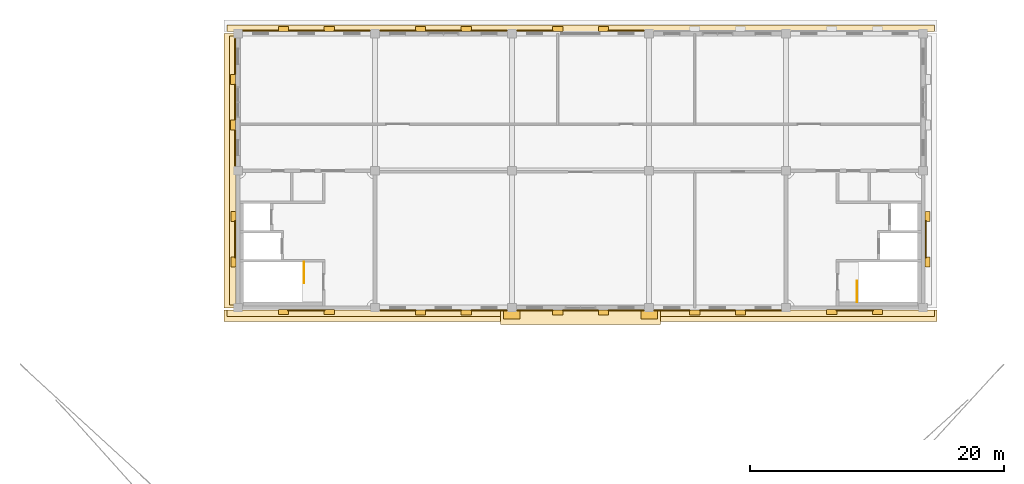
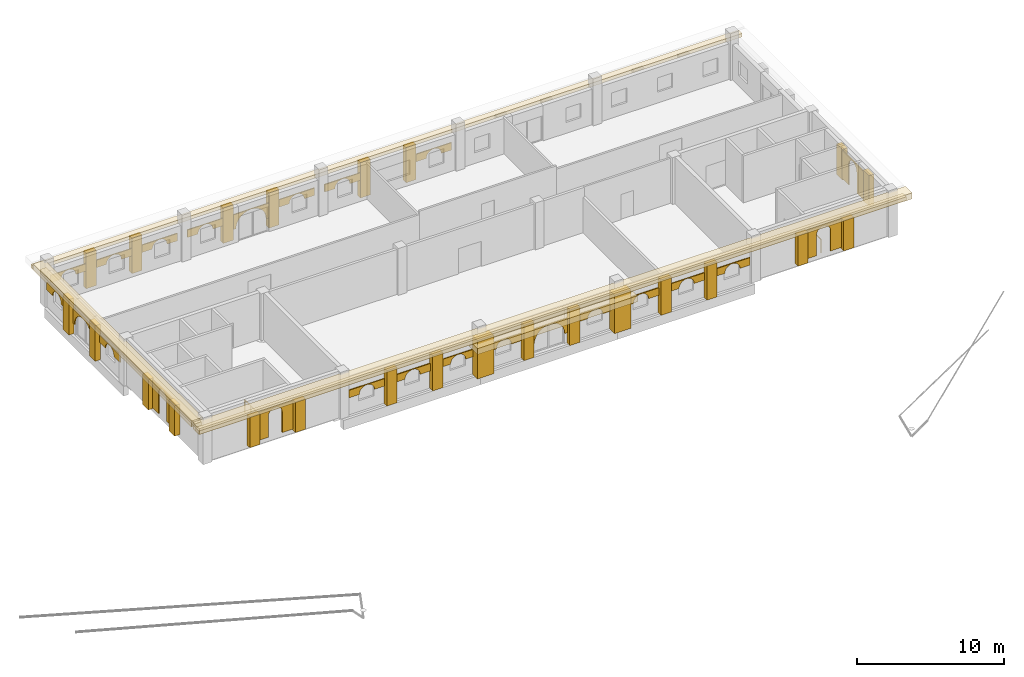
# One storey, part 9 of 10: 54 coverings, 2 railings.
"""IFC4 building model written with IfcOpenShell, lengths in metres."""

from ifc_helpers import new_model, si_unit, direction, frame, origin, origin_2d, place, context, subcontext, project, spatial, polyline, rectangle, circle, outline, extrude, material, layer, layer_set, type_object, element, save


model = new_model("IFC4")

# Units and contexts
model_context = context("Model", 3, precision=1e-05, world=origin(), true_north=direction((0.0, 1.0)))
body_context = subcontext(model_context, "Body", "Model", "MODEL_VIEW")
ifc_project = project(units=[si_unit("LENGTHUNIT", "METRE"), si_unit("AREAUNIT", "SQUARE_METRE"), si_unit("VOLUMEUNIT", "CUBIC_METRE"), si_unit("PLANEANGLEUNIT", "RADIAN"), si_unit("MASSUNIT", "GRAM", prefix="KILO")], contexts=[model_context])

# Site, building, storey
site_placement = place(None, origin())
site = spatial("IfcSite", under=ifc_project, at=site_placement, CompositionType="ELEMENT")
building_placement = place(site_placement, origin())
building = spatial("IfcBuilding", under=site, at=building_placement, Name="Magnolia Steps Interchange", CompositionType="ELEMENT")
storey_placement = place(building_placement, frame((0.0, 0.0, 24.300048828125)))
storey = spatial("IfcBuildingStorey", under=building, at=storey_placement, Name="L06", CompositionType="ELEMENT", Elevation=24.300048828125)

# Coverings
ifc_material_1 = material(Name="Lime render")
ifc_layer_1 = layer(ifc_material_1, 0.080078125)
ifc_layer_set_1 = layer_set([ifc_layer_1], Name="Lime render arch infill")
covering_type_1 = type_object("IfcCoveringType", Name="Lime render arch infill", PredefinedType="CLADDING", material=ifc_layer_set_1)
covering_1_placement = place(storey_placement, frame((79.0, 118.175048828125, 0.8798828125), z_axis=(0.0, -1.0, 0.0), x_axis=(0.111727497739, 0.0, 0.993738882327)))
element("IfcCovering", 1, at=covering_1_placement, inside=storey, type_object=covering_type_1, Name="Arched head over opening g2", PredefinedType="CLADDING", context=body_context, shape_type="SweptSolid", body=[
    extrude(outline(polyline([(0.0, 0.0), (0.268772661, 0.0), (0.530775471, -0.059969747), (0.772847059, -0.176475415), (0.982848175, -0.34424851), (1.150413918, -0.55413586), (1.266850396, -0.796550742), (1.326505678, -1.058370595), (1.326505678, -1.327143256), (1.266778543, -1.589118788), (1.150030263, -1.831217653), (0.98249978, -2.041191492), (0.772369818, -2.208784513), (0.530197548, -2.325193713), (0.268135084, -2.384876273), (0.290502405, -2.583818139), (1.502834728, -2.447513865), (1.189992279, 0.335003528), (-0.022340044, 0.198699254), (0.0, 0.0)])), origin(), (0.0, 0.0, -1.0), 0.080078125),
])
covering_2_placement = place(storey_placement, frame((65.199951171875, 118.175048828125, 1.47998046875), z_axis=(0.0, -1.0, 0.0), x_axis=(0.112624375469, 0.0, 0.993637635182)))
element("IfcCovering", 2, at=covering_2_placement, inside=storey, type_object=covering_type_1, Name="Arched head over opening W00180", PredefinedType="CLADDING", context=body_context, shape_type="SweptSolid", body=[
    extrude(outline(polyline([(0.0, 0.0), (0.134400024, 0.0), (0.265307145, -0.029880371), (0.386381719, -0.087902644), (0.4914442, -0.171573093), (0.575363002, -0.276804986), (0.633784413, -0.397703495), (0.663622652, -0.528721488), (0.66386524, -0.663094016), (0.633984869, -0.794001137), (0.575720009, -0.915103208), (0.49204956, -1.020165689), (0.387060254, -1.104056994), (0.266161744, -1.162478405), (0.135143751, -1.192316645), (0.225248751, -1.98727527), (0.841177939, -1.917462456), (0.525824189, 0.86477144), (-0.090105, 0.794958626), (0.0, 0.0)])), origin(), (0.0, 0.0, -1.0), 0.080078125),
])
covering_3_placement = place(storey_placement, frame((68.800048828125, 118.175048828125, 1.47998046875), z_axis=(0.0, -1.0, 0.0), x_axis=(0.1108303469, 0.0, 0.993839340239)))
element("IfcCovering", 3, at=covering_3_placement, inside=storey, type_object=covering_type_1, Name="Arched head over opening W00540", PredefinedType="CLADDING", context=body_context, shape_type="SweptSolid", body=[
    extrude(outline(polyline([(0.0, 0.0), (0.134372747, 0.0), (0.265225711, -0.030116653), (0.386222396, -0.088600048), (0.491133653, -0.172460033), (0.574835281, -0.277600619), (0.633065394, -0.398847038), (0.662639995, -0.529676049), (0.662639995, -0.664048796), (0.632550401, -0.795144396), (0.574067006, -0.916141082), (0.490207021, -1.021052339), (0.385066435, -1.104753967), (0.264062652, -1.162957021), (0.132991005, -1.192558681), (0.221660694, -1.98767868), (0.837714914, -1.918977936), (0.527384531, 0.863820744), (-0.088669689, 0.79512), (0.0, 0.0)])), origin(), (0.0, 0.0, -1.0), 0.080078125),
])
covering_4_placement = place(storey_placement, frame((72.39990234375, 118.175048828125, 1.47998046875), z_axis=(0.0, -1.0, 0.0), x_axis=(0.112624375469, 0.0, 0.993637635182)))
element("IfcCovering", 4, at=covering_4_placement, inside=storey, type_object=covering_type_1, Name="Arched head over opening W00900", PredefinedType="CLADDING", context=body_context, shape_type="SweptSolid", body=[
    extrude(outline(polyline([(0.0, 0.0), (0.134400024, 0.0), (0.265307145, -0.029880371), (0.386409216, -0.088145231), (0.491471697, -0.17181568), (0.575363002, -0.276804986), (0.633784413, -0.397703495), (0.663622652, -0.528721488), (0.66386524, -0.663094016), (0.633984869, -0.794001137), (0.575720009, -0.915103208), (0.49204956, -1.020165689), (0.387060254, -1.104056994), (0.266161744, -1.162478405), (0.135171248, -1.192559232), (0.225248751, -1.98727527), (0.841177939, -1.917462456), (0.525851685, 0.864528853), (-0.090077503, 0.794716038), (0.0, 0.0)])), origin(), (0.0, 0.0, -1.0), 0.080078125),
])
covering_5_placement = place(storey_placement, frame((76.0, 118.175048828125, 1.47998046875), z_axis=(0.0, -1.0, 0.0), x_axis=(0.1108303469, 0.0, 0.993839340239)))
element("IfcCovering", 5, at=covering_5_placement, inside=storey, type_object=covering_type_1, Name="Arched head over opening W01260", PredefinedType="CLADDING", context=body_context, shape_type="SweptSolid", body=[
    extrude(outline(polyline([(0.0, 0.0), (0.134372747, 0.0), (0.265225711, -0.030116653), (0.386222396, -0.088600048), (0.491133653, -0.172460033), (0.574835281, -0.277600619), (0.633065394, -0.398847038), (0.662667054, -0.529918686), (0.662639995, -0.664048796), (0.632550401, -0.795144396), (0.574067006, -0.916141082), (0.490207021, -1.021052339), (0.385066435, -1.104753967), (0.264062652, -1.162957021), (0.132991005, -1.192558681), (0.221660694, -1.98767868), (0.837714914, -1.918977936), (0.527384531, 0.863820744), (-0.088669689, 0.79512), (0.0, 0.0)])), origin(), (0.0, 0.0, -1.0), 0.080078125),
])
covering_6_placement = place(storey_placement, frame((83.199951171875, 118.175048828125, 1.47998046875), z_axis=(0.0, -1.0, 0.0), x_axis=(0.112624375469, 0.0, 0.993637635182)))
element("IfcCovering", 6, at=covering_6_placement, inside=storey, type_object=covering_type_1, Name="Arched head over opening W00240", PredefinedType="CLADDING", context=body_context, shape_type="SweptSolid", body=[
    extrude(outline(polyline([(0.0, 0.0), (0.134400024, 0.0), (0.265307145, -0.029880371), (0.386381719, -0.087902644), (0.4914442, -0.171573093), (0.575363002, -0.276804986), (0.633784413, -0.397703495), (0.663622652, -0.528721488), (0.66386524, -0.663094016), (0.633984869, -0.794001137), (0.575720009, -0.915103208), (0.49204956, -1.020165689), (0.387060254, -1.104056994), (0.266161744, -1.162478405), (0.135143751, -1.192316645), (0.225248751, -1.98727527), (0.841177939, -1.917462456), (0.525824189, 0.86477144), (-0.090105, 0.794958626), (0.0, 0.0)])), origin(), (0.0, 0.0, -1.0), 0.080078125),
])
covering_7_placement = place(storey_placement, frame((86.800048828125, 118.175048828125, 1.47998046875), z_axis=(0.0, -1.0, 0.0), x_axis=(0.1108303469, 0.0, 0.993839340239)))
element("IfcCovering", 7, at=covering_7_placement, inside=storey, type_object=covering_type_1, Name="Arched head over opening W00600", PredefinedType="CLADDING", context=body_context, shape_type="SweptSolid", body=[
    extrude(outline(polyline([(0.0, 0.0), (0.134372747, 0.0), (0.265225711, -0.030116653), (0.386222396, -0.088600048), (0.491133653, -0.172460033), (0.574835281, -0.277600619), (0.633065394, -0.398847038), (0.662639995, -0.529676049), (0.662639995, -0.664048796), (0.632550401, -0.795144396), (0.574067006, -0.916141082), (0.490207021, -1.021052339), (0.385066435, -1.104753967), (0.264062652, -1.162957021), (0.132991005, -1.192558681), (0.221660694, -1.98767868), (0.837714914, -1.918977936), (0.527384531, 0.863820744), (-0.088669689, 0.79512), (0.0, 0.0)])), origin(), (0.0, 0.0, -1.0), 0.080078125),
])
covering_8_placement = place(storey_placement, frame((94.0, 118.175048828125, 1.47998046875), z_axis=(0.0, -1.0, 0.0), x_axis=(0.1108303469, 0.0, 0.993839340239)))
element("IfcCovering", 8, at=covering_8_placement, inside=storey, type_object=covering_type_1, Name="Arched head over opening W01320", PredefinedType="CLADDING", context=body_context, shape_type="SweptSolid", body=[
    extrude(outline(polyline([(0.0, 0.0), (0.134372747, 0.0), (0.265225711, -0.030116653), (0.386222396, -0.088600048), (0.491133653, -0.172460033), (0.574835281, -0.277600619), (0.633065394, -0.398847038), (0.662667054, -0.529918686), (0.662639995, -0.664048796), (0.632550401, -0.795144396), (0.574067006, -0.916141082), (0.490207021, -1.021052339), (0.385066435, -1.104753967), (0.264062652, -1.162957021), (0.132991005, -1.192558681), (0.221660694, -1.98767868), (0.837714914, -1.918977936), (0.527384531, 0.863820744), (-0.088669689, 0.79512), (0.0, 0.0)])), origin(), (0.0, 0.0, -1.0), 0.080078125),
])
covering_9_placement = place(storey_placement, frame((89.60009765625, 96.22509765625, 0.8798828125), z_axis=(0.0, 1.0, 0.0), x_axis=(0.0, 0.0, 1.0)))
element("IfcCovering", 9, at=covering_9_placement, inside=storey, type_object=covering_type_1, Name="Arched head over opening g2", PredefinedType="CLADDING", context=body_context, shape_type="SweptSolid", body=[
    extrude(outline(polyline([(0.0, 0.0), (1.219970703, 0.0), (1.219970703, 2.799804688), (0.0, 2.799804688), (0.0, 2.599853516), (0.267089844, 2.569824219), (0.520751953, 2.481201172), (0.748291016, 2.338134766), (0.938232422, 2.148193359), (1.081298828, 1.920654297), (1.169921875, 1.666992188), (1.199951172, 1.399902344), (1.169921875, 1.1328125), (1.081298828, 0.879150391), (0.938232422, 0.651611328), (0.748291016, 0.461669922), (0.520751953, 0.318603516), (0.267089844, 0.229980469), (0.0, 0.199951172), (0.0, 0.0)])), origin(), (0.0, 0.0, -1.0), 0.080078125),
])
covering_10_placement = place(storey_placement, frame((75.199951171875, 96.22509765625, 1.47998046875), z_axis=(0.0, 1.0, 0.0), x_axis=(0.0, 0.0, 1.0)))
element("IfcCovering", 10, at=covering_10_placement, inside=storey, type_object=covering_type_1, Name="Arched head over opening W00180", PredefinedType="CLADDING", context=body_context, shape_type="SweptSolid", body=[
    extrude(outline(polyline([(0.0, 0.0), (0.619873047, 0.0), (0.619873047, 2.800048828), (0.0, 2.800048828), (0.0, 2.0), (0.133544922, 1.985107422), (0.260253906, 1.940673828), (0.374023438, 1.869140625), (0.468994141, 1.774169922), (0.540527344, 1.660400391), (0.584960938, 1.533447266), (0.599853516, 1.400146484), (0.584960938, 1.266601562), (0.540527344, 1.139648438), (0.468994141, 1.025878906), (0.374023438, 0.930908203), (0.260253906, 0.859375), (0.133544922, 0.814941406), (0.0, 0.800048828), (0.0, 0.0)])), origin(), (0.0, 0.0, -1.0), 0.080078125),
])
covering_11_placement = place(storey_placement, frame((78.800048828125, 96.22509765625, 1.47998046875), z_axis=(0.0, 1.0, 0.0), x_axis=(0.0, 0.0, 1.0)))
element("IfcCovering", 11, at=covering_11_placement, inside=storey, type_object=covering_type_1, Name="Arched head over opening W00540", PredefinedType="CLADDING", context=body_context, shape_type="SweptSolid", body=[
    extrude(outline(polyline([(0.0, 0.0), (0.619873047, 0.0), (0.619873047, 2.800048828), (0.0, 2.800048828), (0.0, 2.0), (0.133544922, 1.984863281), (0.260253906, 1.940429688), (0.374023438, 1.869140625), (0.468994141, 1.774169922), (0.540527344, 1.66015625), (0.584960938, 1.533447266), (0.599853516, 1.399902344), (0.584960938, 1.266357422), (0.540527344, 1.139648438), (0.468994141, 1.025878906), (0.374023438, 0.930908203), (0.260253906, 0.859375), (0.133544922, 0.814941406), (0.0, 0.800048828), (0.0, 0.0)])), origin(), (0.0, 0.0, -1.0), 0.080078125),
])
covering_12_placement = place(storey_placement, frame((82.39990234375, 96.22509765625, 1.47998046875), z_axis=(0.0, 1.0, 0.0), x_axis=(0.0, 0.0, 1.0)))
element("IfcCovering", 12, at=covering_12_placement, inside=storey, type_object=covering_type_1, Name="Arched head over opening W00900", PredefinedType="CLADDING", context=body_context, shape_type="SweptSolid", body=[
    extrude(outline(polyline([(0.0, 0.0), (0.619873047, 0.0), (0.619873047, 2.800048828), (0.0, 2.800048828), (0.0, 2.0), (0.133544922, 1.985107422), (0.260253906, 1.940673828), (0.374023438, 1.869140625), (0.468994141, 1.774169922), (0.540527344, 1.660400391), (0.584960938, 1.533691406), (0.599853516, 1.400146484), (0.584960938, 1.266601562), (0.540527344, 1.139892578), (0.468994141, 1.025878906), (0.374023438, 0.930908203), (0.260253906, 0.859619141), (0.133544922, 0.815185547), (0.0, 0.800048828), (0.0, 0.0)])), origin(), (0.0, 0.0, -1.0), 0.080078125),
])
covering_13_placement = place(storey_placement, frame((86.0, 96.22509765625, 1.47998046875), z_axis=(0.0, 1.0, 0.0), x_axis=(0.0, 0.0, 1.0)))
element("IfcCovering", 13, at=covering_13_placement, inside=storey, type_object=covering_type_1, Name="Arched head over opening W01260", PredefinedType="CLADDING", context=body_context, shape_type="SweptSolid", body=[
    extrude(outline(polyline([(0.0, 0.0), (0.619873047, 0.0), (0.619873047, 2.800048828), (0.0, 2.800048828), (0.0, 2.0), (0.133544922, 1.985107422), (0.260253906, 1.940673828), (0.374023438, 1.869140625), (0.468994141, 1.774169922), (0.540527344, 1.660400391), (0.584960938, 1.533447266), (0.599853516, 1.399902344), (0.584960938, 1.266601562), (0.540527344, 1.139648438), (0.468994141, 1.025878906), (0.374023438, 0.930908203), (0.260253906, 0.859375), (0.133544922, 0.814941406), (0.0, 0.800048828), (0.0, 0.0)])), origin(), (0.0, 0.0, -1.0), 0.080078125),
])
covering_14_placement = place(storey_placement, frame((93.199951171875, 96.22509765625, 1.47998046875), z_axis=(0.0, 1.0, 0.0), x_axis=(0.0, 0.0, 1.0)))
element("IfcCovering", 14, at=covering_14_placement, inside=storey, type_object=covering_type_1, Name="Arched head over opening W00240", PredefinedType="CLADDING", context=body_context, shape_type="SweptSolid", body=[
    extrude(outline(polyline([(0.0, 0.0), (0.619873047, 0.0), (0.619873047, 2.800048828), (0.0, 2.800048828), (0.0, 2.0), (0.133544922, 1.985107422), (0.260253906, 1.940673828), (0.374023438, 1.869140625), (0.468994141, 1.774169922), (0.540527344, 1.660400391), (0.584960938, 1.533447266), (0.599853516, 1.400146484), (0.584960938, 1.266601562), (0.540527344, 1.139648438), (0.468994141, 1.025878906), (0.374023438, 0.930908203), (0.260253906, 0.859375), (0.133544922, 0.814941406), (0.0, 0.800048828), (0.0, 0.0)])), origin(), (0.0, 0.0, -1.0), 0.080078125),
])
covering_15_placement = place(storey_placement, frame((96.800048828125, 96.22509765625, 1.47998046875), z_axis=(0.0, 1.0, 0.0), x_axis=(0.0, 0.0, 1.0)))
element("IfcCovering", 15, at=covering_15_placement, inside=storey, type_object=covering_type_1, Name="Arched head over opening W00600", PredefinedType="CLADDING", context=body_context, shape_type="SweptSolid", body=[
    extrude(outline(polyline([(0.0, 0.0), (0.619873047, 0.0), (0.619873047, 2.800048828), (0.0, 2.800048828), (0.0, 2.0), (0.133544922, 1.984863281), (0.260253906, 1.940429688), (0.374023438, 1.869140625), (0.468994141, 1.774169922), (0.540527344, 1.66015625), (0.584960938, 1.533447266), (0.599853516, 1.399902344), (0.584960938, 1.266357422), (0.540527344, 1.139648438), (0.468994141, 1.025878906), (0.374023438, 0.930908203), (0.260253906, 0.859375), (0.133544922, 0.814941406), (0.0, 0.800048828), (0.0, 0.0)])), origin(), (0.0, 0.0, -1.0), 0.080078125),
])
covering_16_placement = place(storey_placement, frame((100.39990234375, 96.22509765625, 1.47998046875), z_axis=(0.0, 1.0, 0.0), x_axis=(0.0, 0.0, 1.0)))
element("IfcCovering", 16, at=covering_16_placement, inside=storey, type_object=covering_type_1, Name="Arched head over opening W00960", PredefinedType="CLADDING", context=body_context, shape_type="SweptSolid", body=[
    extrude(outline(polyline([(0.0, 0.0), (0.619873047, 0.0), (0.619873047, 2.800048828), (0.0, 2.800048828), (0.0, 2.0), (0.133544922, 1.985107422), (0.260253906, 1.940673828), (0.374023438, 1.869140625), (0.468994141, 1.774169922), (0.540527344, 1.660400391), (0.584960938, 1.533691406), (0.599853516, 1.400146484), (0.584960938, 1.266601562), (0.540527344, 1.139892578), (0.468994141, 1.025878906), (0.374023438, 0.930908203), (0.260253906, 0.859619141), (0.133544922, 0.815185547), (0.0, 0.800048828), (0.0, 0.0)])), origin(), (0.0, 0.0, -1.0), 0.080078125),
])
covering_17_placement = place(storey_placement, frame((104.0, 96.22509765625, 1.47998046875), z_axis=(0.0, 1.0, 0.0), x_axis=(0.0, 0.0, 1.0)))
element("IfcCovering", 17, at=covering_17_placement, inside=storey, type_object=covering_type_1, Name="Arched head over opening W01320", PredefinedType="CLADDING", context=body_context, shape_type="SweptSolid", body=[
    extrude(outline(polyline([(0.0, 0.0), (0.619873047, 0.0), (0.619873047, 2.800048828), (0.0, 2.800048828), (0.0, 2.0), (0.133544922, 1.985107422), (0.260253906, 1.940673828), (0.374023438, 1.869140625), (0.468994141, 1.774169922), (0.540527344, 1.660400391), (0.584960938, 1.533447266), (0.599853516, 1.399902344), (0.584960938, 1.266601562), (0.540527344, 1.139648438), (0.468994141, 1.025878906), (0.374023438, 0.930908203), (0.260253906, 0.859375), (0.133544922, 0.814941406), (0.0, 0.800048828), (0.0, 0.0)])), origin(), (0.0, 0.0, -1.0), 0.080078125),
])
covering_18_placement = place(storey_placement, frame((63.824951171875, 111.39990234375, 0.8798828125), z_axis=(1.0, 0.0, 0.0), x_axis=(0.0, 0.112624375469, 0.993637635182)))
element("IfcCovering", 18, at=covering_18_placement, inside=storey, type_object=covering_type_1, Name="Arched head over opening g2", PredefinedType="CLADDING", context=body_context, shape_type="SweptSolid", body=[
    extrude(outline(polyline([(0.0, 0.0), (0.268800048, 0.0), (0.530829382, -0.059490658), (0.773033522, -0.176020379), (0.983158484, -0.343361276), (1.150941095, -0.553339888), (1.267568826, -0.795406991), (1.327487892, -1.057415481), (1.327702983, -1.325945445), (1.268212325, -1.587974779), (1.151682605, -1.830178919), (0.984341707, -2.040303881), (0.774363096, -2.208086492), (0.532323489, -2.32495681), (0.270314999, -2.384875877), (0.292834375, -2.583554886), (1.505043179, -2.446156448), (1.189689429, 0.336077448), (-0.022519376, 0.19867901), (0.0, 0.0)])), origin(), (0.0, 0.0, -1.0), 0.080078125),
])
covering_19_placement = place(storey_placement, frame((63.824951171875, 108.39990234375, 1.47998046875), z_axis=(1.0, 0.0, 0.0), x_axis=(0.0, 0.112624375469, 0.993637635182)))
element("IfcCovering", 19, at=covering_19_placement, inside=storey, type_object=covering_type_1, Name="Arched head over opening W00180", PredefinedType="CLADDING", context=body_context, shape_type="SweptSolid", body=[
    extrude(outline(polyline([(0.0, 0.0), (0.134400024, 0.0), (0.265307145, -0.029880371), (0.386409216, -0.088145231), (0.491471697, -0.17181568), (0.575363002, -0.276804986), (0.633784413, -0.397703495), (0.663622652, -0.528721488), (0.66386524, -0.663094016), (0.633984869, -0.794001137), (0.575720009, -0.915103208), (0.49204956, -1.020165689), (0.387060254, -1.104056994), (0.266161744, -1.162478405), (0.135171248, -1.192559232), (0.225248751, -1.98727527), (0.841177939, -1.917462456), (0.525851685, 0.864528853), (-0.090077503, 0.794716038), (0.0, 0.0)])), origin(), (0.0, 0.0, -1.0), 0.080078125),
])
covering_20_placement = place(storey_placement, frame((63.824951171875, 115.60009765625, 1.47998046875), z_axis=(1.0, 0.0, 0.0), x_axis=(0.0, 0.1108303469, 0.993839340239)))
element("IfcCovering", 20, at=covering_20_placement, inside=storey, type_object=covering_type_1, Name="Arched head over opening W00240", PredefinedType="CLADDING", context=body_context, shape_type="SweptSolid", body=[
    extrude(outline(polyline([(0.0, 0.0), (0.134372747, 0.0), (0.265225711, -0.030116653), (0.386222396, -0.088600048), (0.491133653, -0.172460033), (0.574835281, -0.277600619), (0.633038335, -0.398604402), (0.662639995, -0.529676049), (0.662639995, -0.664048796), (0.632523343, -0.79490176), (0.574067006, -0.916141082), (0.490207021, -1.021052339), (0.385039377, -1.10451133), (0.264035594, -1.162714384), (0.132991005, -1.192558681), (0.221660694, -1.98767868), (0.837714914, -1.918977936), (0.527384531, 0.863820744), (-0.088669689, 0.79512), (0.0, 0.0)])), origin(), (0.0, 0.0, -1.0), 0.080078125),
])
covering_21_placement = place(storey_placement, frame((67.949951171875, 96.25, 0.39990234375), z_axis=(0.0, 1.0, 0.0), x_axis=(0.0, 0.0, 1.0)))
element("IfcCovering", 21, at=covering_21_placement, inside=storey, type_object=covering_type_1, Name="Arched niche OC-W L06 S", PredefinedType="CLADDING", context=body_context, shape_type="SweptSolid", body=[
    extrude(outline(polyline([(0.0, 0.0), (2.350097656, 0.0), (2.350097656, 2.900146484), (0.0, 2.900146484), (0.0, 2.0), (1.75, 2.0), (1.892333984, 1.981445312), (2.025146484, 1.926269531), (2.138916016, 1.838867188), (2.226318359, 1.725097656), (2.28125, 1.592529297), (2.300048828, 1.449951172), (2.28125, 1.307617188), (2.226318359, 1.175048828), (2.138916016, 1.061035156), (2.025146484, 0.973632812), (1.892333984, 0.918701172), (1.75, 0.900146484), (0.0, 0.900146484), (0.0, 0.0)])), origin(), (0.0, 0.0, -1.0), 0.080078125),
])
covering_22_placement = place(storey_placement, frame((63.85009765625, 101.25, 0.39990234375), z_axis=(1.0, 0.0, 0.0), x_axis=(0.0, 0.0, 1.0)))
element("IfcCovering", 22, at=covering_22_placement, inside=storey, type_object=covering_type_1, Name="Arched niche OC-W L06 W", PredefinedType="CLADDING", context=body_context, shape_type="SweptSolid", body=[
    extrude(outline(polyline([(0.0, 0.0), (1.75, 0.0), (1.892333984, -0.018798828), (2.025146484, -0.073730469), (2.138916016, -0.161132812), (2.226318359, -0.274902344), (2.28125, -0.407714844), (2.300048828, -0.550048828), (2.28125, -0.692382812), (2.226318359, -0.824951172), (2.138916016, -0.938964844), (2.025146484, -1.026367188), (1.892333984, -1.081298828), (1.75, -1.100097656), (0.0, -1.100097656), (0.0, -2.0), (2.350097656, -2.0), (2.350097656, 0.899902344), (0.0, 0.899902344), (0.0, 0.0)])), origin(), (0.0, 0.0, -1.0), 0.080078125),
])
covering_23_placement = place(storey_placement, frame((111.14990234375, 96.25, 0.39990234375), z_axis=(0.0, 1.0, 0.0), x_axis=(0.0, 0.0, 1.0)))
element("IfcCovering", 23, at=covering_23_placement, inside=storey, type_object=covering_type_1, Name="Arched niche OC-E L06 S", PredefinedType="CLADDING", context=body_context, shape_type="SweptSolid", body=[
    extrude(outline(polyline([(0.0, 0.0), (2.350097656, 0.0), (2.350097656, 2.900146484), (0.0, 2.900146484), (0.0, 2.0), (1.75, 2.0), (1.892333984, 1.981445312), (2.025146484, 1.926513672), (2.138916016, 1.839111328), (2.226318359, 1.725097656), (2.28125, 1.592529297), (2.300048828, 1.450195312), (2.28125, 1.307617188), (2.226318359, 1.175048828), (2.138916016, 1.061279297), (2.025146484, 0.973876953), (1.892333984, 0.918701172), (1.75, 0.900146484), (0.0, 0.900146484), (0.0, 0.0)])), origin(), (0.0, 0.0, -1.0), 0.080078125),
])
covering_24_placement = place(storey_placement, frame((118.14990234375, 100.35009765625, 0.39990234375), z_axis=(-1.0, 0.0, 0.0), x_axis=(0.0, 0.0, 1.0)))
element("IfcCovering", 24, at=covering_24_placement, inside=storey, type_object=covering_type_1, Name="Arched niche OC-E L06 E", PredefinedType="CLADDING", context=body_context, shape_type="SweptSolid", body=[
    extrude(outline(polyline([(0.0, 0.0), (2.350097656, 0.0), (2.350097656, 2.899902344), (0.0, 2.899902344), (0.0, 2.0), (1.75, 2.0), (1.892333984, 1.981201172), (2.025146484, 1.926269531), (2.138916016, 1.838867188), (2.226318359, 1.724853516), (2.28125, 1.592285156), (2.300048828, 1.449951172), (2.28125, 1.307617188), (2.226318359, 1.174804688), (2.138916016, 1.061035156), (2.025146484, 0.973632812), (1.892333984, 0.918701172), (1.75, 0.899902344), (0.0, 0.899902344), (0.0, 0.0)])), origin(), (0.0, 0.0, -1.0), 0.080078125),
])
ifc_material_2 = material(Name="Lime render")
ifc_layer_2 = layer(ifc_material_2, 0.1201171875)
ifc_layer_set_2 = layer_set([ifc_layer_2], Name="Lime render band")
covering_type_2 = type_object("IfcCoveringType", Name="Lime render band", PredefinedType="CLADDING", material=ifc_layer_set_2)
covering_25_placement = place(storey_placement, frame((91.0, 95.77490234375, 3.18994140625), z_axis=(0.0, 0.0, 1.0), x_axis=(1.0, 0.0, 0.0)))
element("IfcCovering", 25, at=covering_25_placement, inside=storey, type_object=covering_type_2, Name="Cornice L06 S", PredefinedType="CLADDING", context=body_context, shape_type="SweptSolid", body=[
    extrude(rectangle(XDim=56.14990234375, YDim=0.89990234375, at=origin_2d()), origin(), (0.0, 0.0, 1.0), 0.5),
])
for number, where, z_axis, x_axis, name in (
    (26, (91.0, 95.9775390625, 2.89013671875), (0.0, 0.0, 1.0), (1.0, 0.0, 0.0), "Cornice step L06 S"),
    (27, (91.0, 118.422607421875, 2.89013671875), (0.0, 0.0, 1.0), (1.0, 0.0, 0.0), "Cornice step L06 N"),
):
    element("IfcCovering", number, at=place(storey_placement, frame(where, z_axis=z_axis, x_axis=x_axis)), inside=storey, type_object=covering_type_2, Name=name, PredefinedType="CLADDING", context=body_context, shape_type="SweptSolid", body=[
        extrude(rectangle(XDim=55.75, YDim=0.4951171875, at=origin_2d()), origin(), (0.0, 0.0, 1.0), 0.300048828125),
    ])
covering_26_placement = place(storey_placement, frame((63.375, 107.199951171875, 3.18994140625), z_axis=(0.0, 0.0, 1.0), x_axis=(1.0, 0.0, 0.0)))
element("IfcCovering", 28, at=covering_26_placement, inside=storey, type_object=covering_type_2, Name="Cornice L06 W", PredefinedType="CLADDING", context=body_context, shape_type="SweptSolid", body=[
    extrude(rectangle(XDim=0.89990234375, YDim=21.60009765625, at=origin_2d()), origin(), (0.0, 0.0, 1.0), 0.5),
])
covering_27_placement = place(storey_placement, frame((63.577392578125, 107.199951171875, 2.89013671875), z_axis=(0.0, 0.0, 1.0), x_axis=(1.0, 0.0, 0.0)))
element("IfcCovering", 29, at=covering_27_placement, inside=storey, type_object=covering_type_2, Name="Cornice step L06 W", PredefinedType="CLADDING", context=body_context, shape_type="SweptSolid", body=[
    extrude(rectangle(XDim=0.4951171875, YDim=21.199951171875, at=origin_2d()), origin(), (0.0, 0.0, 1.0), 0.300048828125),
])
covering_28_placement = place(storey_placement, frame((91.0, 95.64990234375, 2.389892578125), z_axis=(0.0, 0.0, 1.0), x_axis=(1.0, 0.0, 0.0)))
element("IfcCovering", 30, at=covering_28_placement, inside=storey, type_object=covering_type_2, Name="Frontispiece entablature", PredefinedType="CLADDING", context=body_context, shape_type="SweptSolid", body=[
    extrude(rectangle(XDim=12.60009765625, YDim=1.14990234375, at=origin_2d()), origin(), (0.0, 0.0, 1.0), 0.5),
])
ifc_material_3 = material(Name="Lime render")
ifc_layer_3 = layer(ifc_material_3, 0.39990234375)
ifc_layer_set_3 = layer_set([ifc_layer_3], Name="Lime render pilaster")
covering_type_3 = type_object("IfcCoveringType", Name="Lime render pilaster", PredefinedType="CLADDING", material=ifc_layer_set_3)
for number, where, z_axis, x_axis, name in (
    (31, (78.39990234375, 96.02490234375, 0.0), (0.0, 0.0, 1.0), (1.0, 0.0, 0.0), "Pilaster L06 S 1"),
    (32, (82.0, 96.02490234375, 0.0), (0.0, 0.0, 1.0), (1.0, 0.0, 0.0), "Pilaster L06 S 2"),
    (33, (89.199951171875, 96.02490234375, 0.0), (0.0, 0.0, 1.0), (1.0, 0.0, 0.0), "Pilaster L06 S 3"),
    (34, (92.800048828125, 96.02490234375, 0.0), (0.0, 0.0, 1.0), (1.0, 0.0, 0.0), "Pilaster L06 S 4"),
    (35, (100.0, 96.02490234375, 0.0), (0.0, 0.0, 1.0), (1.0, 0.0, 0.0), "Pilaster L06 S 5"),
    (36, (103.60009765625, 96.02490234375, 0.0), (0.0, 0.0, 1.0), (1.0, 0.0, 0.0), "Pilaster L06 S 6"),
    (37, (67.60009765625, 118.375, 0.0), (0.0, 0.0, 1.0), (1.0, 0.0, 0.0), "Pilaster L06 N 1"),
    (38, (71.199951171875, 118.375, 0.0), (0.0, 0.0, 1.0), (1.0, 0.0, 0.0), "Pilaster L06 N 2"),
    (39, (78.39990234375, 118.375, 0.0), (0.0, 0.0, 1.0), (1.0, 0.0, 0.0), "Pilaster L06 N 3"),
    (40, (82.0, 118.375, 0.0), (0.0, 0.0, 1.0), (1.0, 0.0, 0.0), "Pilaster L06 N 4"),
    (41, (89.199951171875, 118.375, 0.0), (0.0, 0.0, 1.0), (1.0, 0.0, 0.0), "Pilaster L06 N 5"),
    (42, (92.800048828125, 118.375, 0.0), (0.0, 0.0, 1.0), (1.0, 0.0, 0.0), "Pilaster L06 N 6"),
):
    element("IfcCovering", number, at=place(storey_placement, frame(where, z_axis=z_axis, x_axis=x_axis)), inside=storey, type_object=covering_type_3, Name=name, PredefinedType="CLADDING", context=body_context, shape_type="SweptSolid", body=[
        extrude(rectangle(XDim=0.800048828125, YDim=0.39990234375, at=origin_2d()), origin(), (0.0, 0.0, 1.0), 2.949951171875),
    ])
for number, where, z_axis, x_axis, name in (
    (43, (63.625, 110.800048828125, 0.0), (0.0, 0.0, 1.0), (1.0, 0.0, 0.0), "Pilaster L06 W 1"),
    (44, (63.625, 114.39990234375, 0.0), (0.0, 0.0, 1.0), (1.0, 0.0, 0.0), "Pilaster L06 W 2"),
):
    element("IfcCovering", number, at=place(storey_placement, frame(where, z_axis=z_axis, x_axis=x_axis)), inside=storey, type_object=covering_type_3, Name=name, PredefinedType="CLADDING", context=body_context, shape_type="SweptSolid", body=[
        extrude(rectangle(XDim=0.39990234375, YDim=0.800048828125, at=origin_2d()), origin(), (0.0, 0.0, 1.0), 2.949951171875),
    ])
for number, where, z_axis, x_axis, name in (
    (45, (67.60009765625, 96.050048828125, 0.2998046875), (0.0, 0.0, 1.0), (1.0, 0.0, 0.0), "Core pilaster OC-W L06 S 1"),
    (46, (71.199951171875, 96.050048828125, 0.2998046875), (0.0, 0.0, 1.0), (1.0, 0.0, 0.0), "Core pilaster OC-W L06 S 2"),
):
    element("IfcCovering", number, at=place(storey_placement, frame(where, z_axis=z_axis, x_axis=x_axis)), inside=storey, type_object=covering_type_3, Name=name, PredefinedType="CLADDING", context=body_context, shape_type="SweptSolid", body=[
        extrude(rectangle(XDim=0.800048828125, YDim=0.39990234375, at=origin_2d()), origin(), (0.0, 0.0, 1.0), 2.550048828125),
    ])
for number, where, z_axis, x_axis, name in (
    (47, (63.64990234375, 100.0, 0.2998046875), (0.0, 0.0, 1.0), (1.0, 0.0, 0.0), "Core pilaster OC-W L06 W 1"),
    (48, (63.64990234375, 103.60009765625, 0.2998046875), (0.0, 0.0, 1.0), (1.0, 0.0, 0.0), "Core pilaster OC-W L06 W 2"),
):
    element("IfcCovering", number, at=place(storey_placement, frame(where, z_axis=z_axis, x_axis=x_axis)), inside=storey, type_object=covering_type_3, Name=name, PredefinedType="CLADDING", context=body_context, shape_type="SweptSolid", body=[
        extrude(rectangle(XDim=0.39990234375, YDim=0.800048828125, at=origin_2d()), origin(), (0.0, 0.0, 1.0), 2.550048828125),
    ])
for number, where, z_axis, x_axis, name in (
    (49, (110.800048828125, 96.050048828125, 0.2998046875), (0.0, 0.0, 1.0), (1.0, 0.0, 0.0), "Core pilaster OC-E L06 S 1"),
    (50, (114.39990234375, 96.050048828125, 0.2998046875), (0.0, 0.0, 1.0), (1.0, 0.0, 0.0), "Core pilaster OC-E L06 S 2"),
):
    element("IfcCovering", number, at=place(storey_placement, frame(where, z_axis=z_axis, x_axis=x_axis)), inside=storey, type_object=covering_type_3, Name=name, PredefinedType="CLADDING", context=body_context, shape_type="SweptSolid", body=[
        extrude(rectangle(XDim=0.800048828125, YDim=0.39990234375, at=origin_2d()), origin(), (0.0, 0.0, 1.0), 2.550048828125),
    ])
for number, where, z_axis, x_axis, name in (
    (51, (118.35009765625, 100.0, 0.2998046875), (0.0, 0.0, 1.0), (1.0, 0.0, 0.0), "Core pilaster OC-E L06 E 1"),
    (52, (118.35009765625, 103.60009765625, 0.2998046875), (0.0, 0.0, 1.0), (1.0, 0.0, 0.0), "Core pilaster OC-E L06 E 2"),
):
    element("IfcCovering", number, at=place(storey_placement, frame(where, z_axis=z_axis, x_axis=x_axis)), inside=storey, type_object=covering_type_3, Name=name, PredefinedType="CLADDING", context=body_context, shape_type="SweptSolid", body=[
        extrude(rectangle(XDim=0.39990234375, YDim=0.800048828125, at=origin_2d()), origin(), (0.0, 0.0, 1.0), 2.550048828125),
    ])
for number, where, z_axis, x_axis, name in (
    (53, (85.60009765625, 95.875, 0.0), (0.0, 0.0, 1.0), (1.0, 0.0, 0.0), "Giant pilaster L06 1"),
    (54, (96.39990234375, 95.875, 0.0), (0.0, 0.0, 1.0), (1.0, 0.0, 0.0), "Giant pilaster L06 2"),
):
    element("IfcCovering", number, at=place(storey_placement, frame(where, z_axis=z_axis, x_axis=x_axis)), inside=storey, type_object=covering_type_3, Name=name, PredefinedType="CLADDING", context=body_context, shape_type="SweptSolid", body=[
        extrude(rectangle(XDim=1.300048828125, YDim=0.699951171875, at=origin_2d()), origin(), (0.0, 0.0, 1.0), 3.199951171875),
    ])

# Railings
ifc_material_4 = material(Name="Stainless steel grade 304", Category="steel")
railing_type = type_object("IfcRailingType", Name="Stair guard 1100", PredefinedType="GUARDRAIL", material=ifc_material_4)
railing_1_placement = place(storey_placement, frame((69.199951171875, 100.0, 0.0)))
element("IfcRailing", 55, at=railing_1_placement, inside=storey, type_object=railing_type, Name="L06 ST28 top well guard 1", PredefinedType="GUARDRAIL", context=body_context, shape_type="SweptSolid", body=[
    extrude(circle(Radius=0.02392578125, at=origin_2d()), frame((0.0, 0.0, 1.076171875), z_axis=(0.0, -1.0, 0.0), x_axis=(1.0, 0.0, 0.0)), (0.0, 0.0, 1.0), 1.64990234375),
    extrude(circle(Radius=0.02099609375, at=origin_2d()), origin(), (0.0, 0.0, 1.0), 1.052001953125),
    extrude(circle(Radius=0.02099609375, at=origin_2d()), frame((0.0, -0.824951171875, 0.0)), (0.0, 0.0, 1.0), 1.052001953125),
    extrude(circle(Radius=0.02099609375, at=origin_2d()), frame((0.0, -1.64990234375, 0.0)), (0.0, 0.0, 1.0), 1.052001953125),
])
railing_2_placement = place(storey_placement, frame((112.800048828125, 96.85009765625, 0.0)))
element("IfcRailing", 56, at=railing_2_placement, inside=storey, type_object=railing_type, Name="L06 ST29 top well guard 1", PredefinedType="GUARDRAIL", context=body_context, shape_type="SweptSolid", body=[
    extrude(circle(Radius=0.02392578125, at=origin_2d()), frame((0.0, 0.0, 1.076171875), z_axis=(0.0, 1.0, 0.0), x_axis=(-1.0, 0.0, 0.0)), (0.0, 0.0, 1.0), 1.64990234375),
    extrude(circle(Radius=0.02099609375, at=origin_2d()), origin(), (0.0, 0.0, 1.0), 1.052001953125),
    extrude(circle(Radius=0.02099609375, at=origin_2d()), frame((0.0, 0.824951171875, 0.0)), (0.0, 0.0, 1.0), 1.052001953125),
    extrude(circle(Radius=0.02099609375, at=origin_2d()), frame((0.0, 1.64990234375, 0.0)), (0.0, 0.0, 1.0), 1.052001953125),
])

save(model, "model.ifc")
